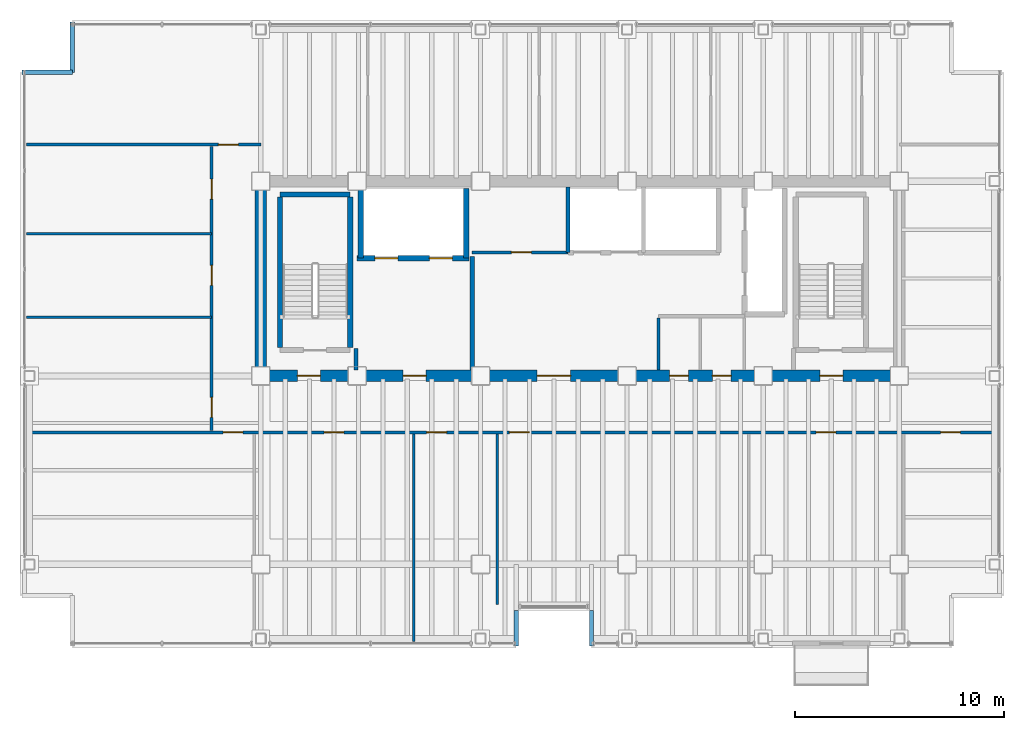
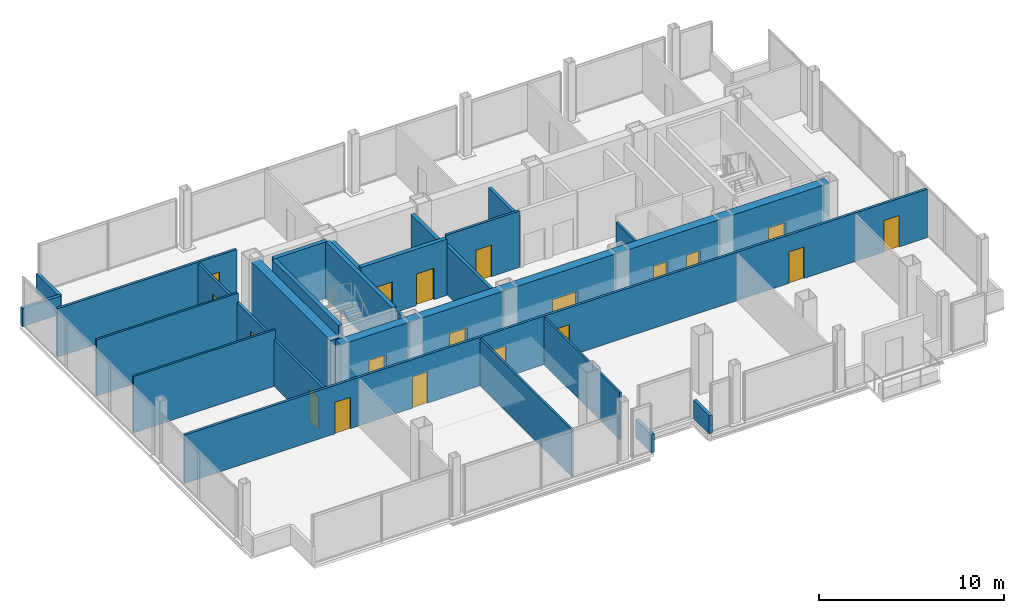
# One storey, part 16 of 19: 24 walls, 19 doors, 19 openings.
"""IFC4 building model written with IfcOpenShell, lengths in metres."""

from ifc_helpers import new_model, si_unit, direction, frame, frame_2d, origin, place, context, subcontext, project, spatial, rectangle, extrude, material, layer, layer_set, type_object, element, fill, save


model = new_model("IFC4")

# Units and contexts
model_context = context("Model", 3, precision=1e-05, world=origin(), true_north=direction((0.0, 1.0)))
body_context = subcontext(model_context, "Body", "Model", "MODEL_VIEW")
ifc_project = project(units=[si_unit("LENGTHUNIT", "METRE"), si_unit("AREAUNIT", "SQUARE_METRE"), si_unit("VOLUMEUNIT", "CUBIC_METRE"), si_unit("PLANEANGLEUNIT", "RADIAN"), si_unit("MASSUNIT", "GRAM", prefix="KILO")], contexts=[model_context])

# Site, building, storey
site_placement = place(None, origin())
site = spatial("IfcSite", under=ifc_project, at=site_placement, CompositionType="ELEMENT")
building_placement = place(site_placement, origin())
building = spatial("IfcBuilding", under=site, at=building_placement, Name="Noeulbin Bourse Tower", CompositionType="ELEMENT")
storey_placement = place(building_placement, frame((0.0, 0.0, 146.10009765625)))
storey = spatial("IfcBuildingStorey", under=building, at=storey_placement, Name="L36", CompositionType="ELEMENT", Elevation=146.10009765625)

# Wall, openings, doors
ifc_material_1 = material(Name="Concrete C60/75", Category="concrete")
ifc_layer_1 = layer(ifc_material_1, 0.550048828125)
ifc_layer_set_1 = layer_set([ifc_layer_1], Name="Concrete C60/75")
wall_type_1 = type_object("IfcWallType", Name="WAL-CORE-550", PredefinedType="SHEAR", material=ifc_layer_set_1)
wall_1_placement = place(storey_placement, frame((13.5, 29.0, 0.0), z_axis=(0.0, 0.0, 1.0), x_axis=(1.0, 0.0, 0.0)))
wall_1 = element("IfcWall", 1, at=wall_1_placement, inside=storey, type_object=wall_type_1, Name="Rear Core South Shear Wall L36", PredefinedType="SHEAR", context=body_context, shape_type="SweptSolid", body=[
    extrude(rectangle(XDim=30.5, YDim=0.550048828125, at=frame_2d((15.25, 0.0))), origin(), (0.0, 0.0, 1.0), 3.719970703125),
])
opening_1_placement = place(wall_1_placement, frame((1.75, 0.0, 0.0)))
opening_1 = element("IfcOpeningElement", 2, at=opening_1_placement, cuts=wall_1, Name="Opening FD-11", PredefinedType="OPENING", context=body_context, shape_type="SweptSolid", body=[
    extrude(rectangle(XDim=1.10009765625, YDim=2.080078125, at=frame_2d((0.550048828125, 1.0400390625))), frame((0.0, 0.284912109375, 0.0), z_axis=(0.0, -1.0, 0.0), x_axis=(1.0, 0.0, 0.0)), (0.0, 0.0, 1.0), 0.570068359375),
])
opening_2_placement = place(wall_1_placement, frame((26.699951171875, 0.0, 0.0)))
opening_2 = element("IfcOpeningElement", 3, at=opening_2_placement, cuts=wall_1, Name="Opening FD-11", PredefinedType="OPENING", context=body_context, shape_type="SweptSolid", body=[
    extrude(rectangle(XDim=1.10009765625, YDim=2.080078125, at=frame_2d((0.550048828125, 1.0400390625))), frame((0.0, 0.284912109375, 0.0), z_axis=(0.0, -1.0, 0.0), x_axis=(1.0, 0.0, 0.0)), (0.0, 0.0, 1.0), 0.570068359375),
])
opening_3_placement = place(wall_1_placement, frame((6.800048828125, 0.0, 0.0)))
opening_3 = element("IfcOpeningElement", 4, at=opening_3_placement, cuts=wall_1, Name="Opening FD-11", PredefinedType="OPENING", context=body_context, shape_type="SweptSolid", body=[
    extrude(rectangle(XDim=1.10009765625, YDim=2.080078125, at=frame_2d((0.550048828125, 1.0400390625))), frame((0.0, 0.284912109375, 0.0), z_axis=(0.0, -1.0, 0.0), x_axis=(1.0, 0.0, 0.0)), (0.0, 0.0, 1.0), 0.570068359375),
])
opening_4_placement = place(wall_1_placement, frame((13.199951171875, 0.0, 0.0)))
opening_4 = element("IfcOpeningElement", 5, at=opening_4_placement, cuts=wall_1, Name="Opening ID-16", PredefinedType="OPENING", context=body_context, shape_type="SweptSolid", body=[
    extrude(rectangle(XDim=1.60009765625, YDim=2.080078125, at=frame_2d((0.800048828125, 1.0400390625))), frame((0.0, 0.284912109375, 0.0), z_axis=(0.0, -1.0, 0.0), x_axis=(1.0, 0.0, 0.0)), (0.0, 0.0, 1.0), 0.570068359375),
])
opening_5_placement = place(wall_1_placement, frame((19.530029296875, 0.0, 0.0)))
opening_5 = element("IfcOpeningElement", 6, at=opening_5_placement, cuts=wall_1, Name="Opening FD-09", PredefinedType="OPENING", context=body_context, shape_type="SweptSolid", body=[
    extrude(rectangle(XDim=0.89990234375, YDim=2.080078125, at=frame_2d((0.449951171875, 1.0400390625))), frame((0.0, 0.284912109375, 0.0), z_axis=(0.0, -1.0, 0.0), x_axis=(1.0, 0.0, 0.0)), (0.0, 0.0, 1.0), 0.570068359375),
])
opening_6_placement = place(wall_1_placement, frame((21.570068359375, 0.0, 0.0)))
opening_6 = element("IfcOpeningElement", 7, at=opening_6_placement, cuts=wall_1, Name="Opening FD-09", PredefinedType="OPENING", context=body_context, shape_type="SweptSolid", body=[
    extrude(rectangle(XDim=0.89990234375, YDim=2.080078125, at=frame_2d((0.449951171875, 1.0400390625))), frame((0.0, 0.284912109375, 0.0), z_axis=(0.0, -1.0, 0.0), x_axis=(1.0, 0.0, 0.0)), (0.0, 0.0, 1.0), 0.570068359375),
])
ifc_material_2 = material(Name="Acoustic Glazed Aluminium", Category="aluminium")
door_type_1 = type_object("IfcDoorType", Name="DR-DBL-1600", OperationType="DOUBLE_DOOR_SINGLE_SWING", PredefinedType="DOOR", material=ifc_material_2)
door_1_placement = place(opening_4_placement, origin())
door_1 = element("IfcDoor", 8, at=door_1_placement, inside=storey, type_object=door_type_1, Name="Passenger Lift Lobby Portal L36", OperationType="DOUBLE_DOOR_SINGLE_SWING", OverallHeight=2.080078125, OverallWidth=1.60009765625, PredefinedType="DOOR", context=body_context, shape_type="SweptSolid", body=[
    extrude(rectangle(XDim=1.60009765625, YDim=2.080078125, at=frame_2d((0.800048828125, 1.0400390625))), frame((0.0, 0.02490234375, 0.0), z_axis=(0.0, -1.0, 0.0), x_axis=(1.0, 0.0, 0.0)), (0.0, 0.0, 1.0), 0.050048828125),
])
fill(opening_4, door_1)
ifc_material_3 = material(Name="Fire-Rated Timber Core", Category="wood")
door_type_2 = type_object("IfcDoorType", Name="DR-FD30-900", OperationType="SINGLE_SWING_RIGHT", PredefinedType="DOOR", material=ifc_material_3)
door_2_placement = place(opening_5_placement, origin())
door_2 = element("IfcDoor", 9, at=door_2_placement, inside=storey, type_object=door_type_2, Name="Interior Door L36-06", OperationType="SINGLE_SWING_RIGHT", OverallHeight=2.080078125, OverallWidth=0.89990234375, PredefinedType="DOOR", context=body_context, shape_type="SweptSolid", body=[
    extrude(rectangle(XDim=0.89990234375, YDim=2.080078125, at=frame_2d((0.449951171875, 1.0400390625))), frame((0.0, 0.02490234375, 0.0), z_axis=(0.0, -1.0, 0.0), x_axis=(1.0, 0.0, 0.0)), (0.0, 0.0, 1.0), 0.050048828125),
])
fill(opening_5, door_2)
door_3_placement = place(opening_6_placement, origin())
door_3 = element("IfcDoor", 10, at=door_3_placement, inside=storey, type_object=door_type_2, Name="Interior Door L36-07", OperationType="SINGLE_SWING_LEFT", OverallHeight=2.080078125, OverallWidth=0.89990234375, PredefinedType="DOOR", context=body_context, shape_type="SweptSolid", body=[
    extrude(rectangle(XDim=0.89990234375, YDim=2.080078125, at=frame_2d((0.449951171875, 1.0400390625))), frame((0.0, 0.02490234375, 0.0), z_axis=(0.0, -1.0, 0.0), x_axis=(1.0, 0.0, 0.0)), (0.0, 0.0, 1.0), 0.050048828125),
])
fill(opening_6, door_3)
ifc_material_4 = material(Name="Fire-Rated Insulated Steel", Category="steel")
door_type_3 = type_object("IfcDoorType", Name="DR-FD60-1100", OperationType="SINGLE_SWING_LEFT", PredefinedType="DOOR", material=ifc_material_4)
door_4_placement = place(opening_1_placement, origin())
door_4 = element("IfcDoor", 11, at=door_4_placement, inside=storey, type_object=door_type_3, Name="West Stair Lobby Door L36", OperationType="SINGLE_SWING_LEFT", OverallHeight=2.080078125, OverallWidth=1.10009765625, PredefinedType="DOOR", context=body_context, shape_type="SweptSolid", body=[
    extrude(rectangle(XDim=1.10009765625, YDim=2.080078125, at=frame_2d((0.550048828125, 1.0400390625))), frame((0.0, 0.02490234375, 0.0), z_axis=(0.0, -1.0, 0.0), x_axis=(1.0, 0.0, 0.0)), (0.0, 0.0, 1.0), 0.050048828125),
])
fill(opening_1, door_4)
door_5_placement = place(opening_2_placement, origin())
door_5 = element("IfcDoor", 12, at=door_5_placement, inside=storey, type_object=door_type_3, Name="East Stair Lobby Door L36", OperationType="SINGLE_SWING_RIGHT", OverallHeight=2.080078125, OverallWidth=1.10009765625, PredefinedType="DOOR", context=body_context, shape_type="SweptSolid", body=[
    extrude(rectangle(XDim=1.10009765625, YDim=2.080078125, at=frame_2d((0.550048828125, 1.0400390625))), frame((0.0, 0.02490234375, 0.0), z_axis=(0.0, -1.0, 0.0), x_axis=(1.0, 0.0, 0.0)), (0.0, 0.0, 1.0), 0.050048828125),
])
fill(opening_2, door_5)
door_6_placement = place(opening_3_placement, origin())
door_6 = element("IfcDoor", 13, at=door_6_placement, inside=storey, type_object=door_type_3, Name="Firefighting Lobby Door L36", OperationType="SINGLE_SWING_LEFT", OverallHeight=2.080078125, OverallWidth=1.10009765625, PredefinedType="DOOR", context=body_context, shape_type="SweptSolid", body=[
    extrude(rectangle(XDim=1.10009765625, YDim=2.080078125, at=frame_2d((0.550048828125, 1.0400390625))), frame((0.0, 0.02490234375, 0.0), z_axis=(0.0, -1.0, 0.0), x_axis=(1.0, 0.0, 0.0)), (0.0, 0.0, 1.0), 0.050048828125),
])
fill(opening_3, door_6)

# Walls
wall_2_placement = place(storey_placement, frame((13.5, 29.35009765625, 0.0), z_axis=(0.0, 0.0, 1.0), x_axis=(0.0, 1.0, 0.0)))
element("IfcWall", 14, at=wall_2_placement, inside=storey, type_object=wall_type_1, Name="Rear Core West Shear Wall L36", PredefinedType="SHEAR", context=body_context, shape_type="SweptSolid", body=[
    extrude(rectangle(XDim=8.599853515625, YDim=0.550048828125, at=frame_2d((4.2998046875, 0.0))), origin(), (0.0, 0.0, 1.0), 3.719970703125),
])
ifc_material_5 = material(Name="Concrete C40/50", Category="concrete")
ifc_layer_2 = layer(ifc_material_5, 0.199951171875)
ifc_layer_set_2 = layer_set([ifc_layer_2], Name="Concrete C40/50")
wall_type_2 = type_object("IfcWallType", Name="WAL-FIRE-200", PredefinedType="STANDARD", material=ifc_layer_set_2)
wall_3_placement = place(storey_placement, frame((18.050048828125, 29.284912109375, 0.0), z_axis=(0.0, 0.0, 1.0), x_axis=(0.0, 1.0, 0.0)))
element("IfcWall", 15, at=wall_3_placement, inside=storey, type_object=wall_type_2, Name="Interior Partition Wall L36-09", PredefinedType="STANDARD", context=body_context, shape_type="SweptSolid", body=[
    extrude(rectangle(XDim=1.01513671875, YDim=0.199951171875, at=frame_2d((0.507568359375, 0.0))), origin(), (0.0, 0.0, 1.0), 3.349853515625),
])
wall_4_placement = place(storey_placement, frame((23.60009765625, 29.284912109375, 0.0), z_axis=(0.0, 0.0, 1.0), x_axis=(0.0, 1.0, 0.0)))
element("IfcWall", 16, at=wall_4_placement, inside=storey, type_object=wall_type_2, Name="Interior Partition Wall L36-11", PredefinedType="STANDARD", context=body_context, shape_type="SweptSolid", body=[
    extrude(rectangle(XDim=5.4150390625, YDim=0.199951171875, at=frame_2d((2.70751953125, 0.0))), origin(), (0.0, 0.0, 1.0), 3.199951171875),
])
ifc_layer_3 = layer(ifc_material_5, 0.199951171875)
ifc_layer_set_3 = layer_set([ifc_layer_3], Name="Concrete C40/50")
wall_type_3 = type_object("IfcWallType", Name="WAL-PAR-200", PredefinedType="PARAPET", material=ifc_layer_set_3)
for number, where, z_axis, x_axis, name in (
    (17, (2.10009765625, 43.5, 0.0), (0.0, 0.0, 1.0), (1.0, 0.0, 0.0), "Corner Notch Parapet L36-NW1"),
    (18, (4.5, 43.5, 0.0), (0.0, 0.0, 1.0), (0.0, 1.0, 0.0), "Corner Notch Parapet L36-NW2"),
):
    element("IfcWall", number, at=place(storey_placement, frame(where, z_axis=z_axis, x_axis=x_axis)), inside=storey, type_object=wall_type_3, Name=name, PredefinedType="PARAPET", context=body_context, shape_type="SweptSolid", body=[
        extrude(rectangle(XDim=2.39990234375, YDim=0.199951171875, at=frame_2d((1.199951171875, 0.0))), origin(), (0.0, 0.0, 1.0), 1.199951171875),
    ])
for number, where, z_axis, x_axis, name in (
    (19, (25.699951171875, 16.10009765625, 0.0), (0.0, 0.0, 1.0), (0.0, 1.0, 0.0), "Sky-Garden Recess Parapet L36-W"),
    (20, (29.300048828125, 17.800048828125, 0.0), (0.0, 0.0, 1.0), (0.0, -1.0, 0.0), "Sky-Garden Recess Parapet L36-E"),
):
    element("IfcWall", number, at=place(storey_placement, frame(where, z_axis=z_axis, x_axis=x_axis)), inside=storey, type_object=wall_type_3, Name=name, PredefinedType="PARAPET", context=body_context, shape_type="SweptSolid", body=[
        extrude(rectangle(XDim=1.699951171875, YDim=0.199951171875, at=frame_2d((0.85009765625, 0.0))), origin(), (0.0, 0.0, 1.0), 1.199951171875),
    ])
ifc_material_6 = material(Name="Steel Stud Gypsum Partition", Category="steel")
ifc_layer_4 = layer(ifc_material_6, 0.1201171875)
ifc_layer_set_4 = layer_set([ifc_layer_4], Name="Steel Stud Gypsum Partition")
wall_type_4 = type_object("IfcWallType", Name="WAL-PRT-120", PredefinedType="PARTITIONING", material=ifc_layer_set_4)
for number, where, z_axis, x_axis, name in (
    (21, (2.31005859375, 31.800048828125, 0.0), (0.0, 0.0, 1.0), (1.0, 0.0, 0.0), "Interior Partition Wall L36-05"),
    (22, (2.31005859375, 35.800048828125, 0.0), (0.0, 0.0, 1.0), (1.0, 0.0, 0.0), "Interior Partition Wall L36-06"),
):
    element("IfcWall", number, at=place(storey_placement, frame(where, z_axis=z_axis, x_axis=x_axis)), inside=storey, type_object=wall_type_4, Name=name, PredefinedType="PARTITIONING", context=body_context, shape_type="SweptSolid", body=[
        extrude(rectangle(XDim=8.83984375, YDim=0.1201171875, at=frame_2d((4.419921875, 0.0))), origin(), (0.0, 0.0, 1.0), 3.719970703125),
    ])
wall_5_placement = place(storey_placement, frame((20.800048828125, 16.31005859375, 0.0), z_axis=(0.0, 0.0, 1.0), x_axis=(0.0, 1.0, 0.0)))
element("IfcWall", 23, at=wall_5_placement, inside=storey, type_object=wall_type_4, Name="Interior Partition Wall L36-17", PredefinedType="PARTITIONING", context=body_context, shape_type="SweptSolid", body=[
    extrude(rectangle(XDim=9.905029296875, YDim=0.1201171875, at=frame_2d((4.95263671875, 0.0))), origin(), (0.0, 0.0, 1.0), 3.099853515625),
])
wall_6_placement = place(storey_placement, frame((24.800048828125, 18.070068359375, 0.0), z_axis=(0.0, 0.0, 1.0), x_axis=(0.0, 1.0, 0.0)))
element("IfcWall", 24, at=wall_6_placement, inside=storey, type_object=wall_type_4, Name="Interior Partition Wall L36-18", PredefinedType="PARTITIONING", context=body_context, shape_type="SweptSolid", body=[
    extrude(rectangle(XDim=8.14501953125, YDim=0.1201171875, at=frame_2d((4.072509765625, 0.0))), origin(), (0.0, 0.0, 1.0), 3.099853515625),
])

# Wall, opening, door
ifc_material_7 = material(Name="Steel Stud Acoustic Gypsum Board", Category="steel")
ifc_layer_5 = layer(ifc_material_7, 0.14990234375)
ifc_layer_set_5 = layer_set([ifc_layer_5], Name="Steel Stud Acoustic Gypsum Board")
wall_type_5 = type_object("IfcWallType", Name="WAL-PRT-150", PredefinedType="PARTITIONING", material=ifc_layer_set_5)
wall_7_placement = place(storey_placement, frame((23.60009765625, 34.89990234375, 0.0), z_axis=(0.0, 0.0, 1.0), x_axis=(1.0, 0.0, 0.0)))
wall_7 = element("IfcWall", 25, at=wall_7_placement, inside=storey, type_object=wall_type_5, Name="Interior Partition Wall L36-02", PredefinedType="PARTITIONING", context=body_context, shape_type="SweptSolid", body=[
    extrude(rectangle(XDim=4.579833984375, YDim=0.14990234375, at=frame_2d((2.2900390625, 0.0))), origin(), (0.0, 0.0, 1.0), 3.719970703125),
])
opening_7_placement = place(wall_7_placement, frame((1.875, 0.0, 0.0)))
opening_7 = element("IfcOpeningElement", 26, at=opening_7_placement, cuts=wall_7, Name="Opening ID-09", PredefinedType="OPENING", context=body_context, shape_type="SweptSolid", body=[
    extrude(rectangle(XDim=0.949951171875, YDim=2.080078125, at=frame_2d((0.47509765625, 1.0400390625))), frame((0.0, 0.0849609375, 0.0), z_axis=(0.0, -1.0, 0.0), x_axis=(1.0, 0.0, 0.0)), (0.0, 0.0, 1.0), 0.169921875),
])
ifc_material_8 = material(Name="Acoustic Solid-Core Timber", Category="wood")
door_type_4 = type_object("IfcDoorType", Name="DR-SINGLE-950", OperationType="SINGLE_SWING_LEFT", PredefinedType="DOOR", material=ifc_material_8)
door_7_placement = place(opening_7_placement, origin())
door_7 = element("IfcDoor", 27, at=door_7_placement, inside=storey, type_object=door_type_4, Name="Archive Room Door L36", OperationType="SINGLE_SWING_LEFT", OverallHeight=2.080078125, OverallWidth=0.949951171875, PredefinedType="DOOR", context=body_context, shape_type="SweptSolid", body=[
    extrude(rectangle(XDim=0.949951171875, YDim=2.080078125, at=frame_2d((0.47509765625, 1.0400390625))), frame((0.0, 0.02490234375, 0.0), z_axis=(0.0, -1.0, 0.0), x_axis=(1.0, 0.0, 0.0)), (0.0, 0.0, 1.0), 0.050048828125),
])
fill(opening_7, door_7)

# Wall, openings, doors
wall_8_placement = place(storey_placement, frame((2.31005859375, 26.300048828125, 0.0), z_axis=(0.0, 0.0, 1.0), x_axis=(1.0, 0.0, 0.0)))
wall_8 = element("IfcWall", 28, at=wall_8_placement, inside=storey, type_object=wall_type_5, Name="Interior Partition Wall L36-04", PredefinedType="PARTITIONING", context=body_context, shape_type="SweptSolid", body=[
    extrude(rectangle(XDim=46.3798828125, YDim=0.14990234375, at=frame_2d((23.18994140625, 0.0))), origin(), (0.0, 0.0, 1.0), 3.199951171875),
])
opening_8_placement = place(wall_8_placement, frame((9.389892578125, 0.0, 0.0)))
opening_8 = element("IfcOpeningElement", 29, at=opening_8_placement, cuts=wall_8, Name="Opening ID-09", PredefinedType="OPENING", context=body_context, shape_type="SweptSolid", body=[
    extrude(rectangle(XDim=0.949951171875, YDim=2.080078125, at=frame_2d((0.47509765625, 1.0400390625))), frame((0.0, 0.0849609375, 0.0), z_axis=(0.0, -1.0, 0.0), x_axis=(1.0, 0.0, 0.0)), (0.0, 0.0, 1.0), 0.169921875),
])
opening_9_placement = place(wall_8_placement, frame((14.215087890625, 0.0, 0.0)))
opening_9 = element("IfcOpeningElement", 30, at=opening_9_placement, cuts=wall_8, Name="Opening ID-09", PredefinedType="OPENING", context=body_context, shape_type="SweptSolid", body=[
    extrude(rectangle(XDim=0.949951171875, YDim=2.080078125, at=frame_2d((0.47509765625, 1.0400390625))), frame((0.0, 0.0849609375, 0.0), z_axis=(0.0, -1.0, 0.0), x_axis=(1.0, 0.0, 0.0)), (0.0, 0.0, 1.0), 0.169921875),
])
opening_10_placement = place(wall_8_placement, frame((19.114990234375, 0.0, 0.0)))
opening_10 = element("IfcOpeningElement", 31, at=opening_10_placement, cuts=wall_8, Name="Opening ID-09", PredefinedType="OPENING", context=body_context, shape_type="SweptSolid", body=[
    extrude(rectangle(XDim=0.949951171875, YDim=2.080078125, at=frame_2d((0.47509765625, 1.0400390625))), frame((0.0, 0.0849609375, 0.0), z_axis=(0.0, -1.0, 0.0), x_axis=(1.0, 0.0, 0.0)), (0.0, 0.0, 1.0), 0.169921875),
])
opening_11_placement = place(wall_8_placement, frame((23.06494140625, 0.0, 0.0)))
opening_11 = element("IfcOpeningElement", 32, at=opening_11_placement, cuts=wall_8, Name="Opening ID-09", PredefinedType="OPENING", context=body_context, shape_type="SweptSolid", body=[
    extrude(rectangle(XDim=0.949951171875, YDim=2.080078125, at=frame_2d((0.47509765625, 1.0400390625))), frame((0.0, 0.0849609375, 0.0), z_axis=(0.0, -1.0, 0.0), x_axis=(1.0, 0.0, 0.0)), (0.0, 0.0, 1.0), 0.169921875),
])
opening_12_placement = place(wall_8_placement, frame((37.715087890625, 0.0, 0.0)))
opening_12 = element("IfcOpeningElement", 33, at=opening_12_placement, cuts=wall_8, Name="Opening ID-09", PredefinedType="OPENING", context=body_context, shape_type="SweptSolid", body=[
    extrude(rectangle(XDim=0.949951171875, YDim=2.080078125, at=frame_2d((0.47509765625, 1.0400390625))), frame((0.0, 0.0849609375, 0.0), z_axis=(0.0, -1.0, 0.0), x_axis=(1.0, 0.0, 0.0)), (0.0, 0.0, 1.0), 0.169921875),
])
opening_13_placement = place(wall_8_placement, frame((43.659912109375, 0.0, 0.0)))
opening_13 = element("IfcOpeningElement", 34, at=opening_13_placement, cuts=wall_8, Name="Opening ID-09", PredefinedType="OPENING", context=body_context, shape_type="SweptSolid", body=[
    extrude(rectangle(XDim=0.949951171875, YDim=2.080078125, at=frame_2d((0.47509765625, 1.0400390625))), frame((0.0, 0.0849609375, 0.0), z_axis=(0.0, -1.0, 0.0), x_axis=(1.0, 0.0, 0.0)), (0.0, 0.0, 1.0), 0.169921875),
])
door_8_placement = place(opening_8_placement, origin())
door_8 = element("IfcDoor", 35, at=door_8_placement, inside=storey, type_object=door_type_4, Name="Interior Door L36-08", OperationType="SINGLE_SWING_RIGHT", OverallHeight=2.080078125, OverallWidth=0.949951171875, PredefinedType="DOOR", context=body_context, shape_type="SweptSolid", body=[
    extrude(rectangle(XDim=0.949951171875, YDim=2.080078125, at=frame_2d((0.47509765625, 1.0400390625))), frame((0.0, 0.02490234375, 0.0), z_axis=(0.0, -1.0, 0.0), x_axis=(1.0, 0.0, 0.0)), (0.0, 0.0, 1.0), 0.050048828125),
])
fill(opening_8, door_8)
door_9_placement = place(opening_9_placement, origin())
door_9 = element("IfcDoor", 36, at=door_9_placement, inside=storey, type_object=door_type_4, Name="Interior Door L36-09", OperationType="SINGLE_SWING_LEFT", OverallHeight=2.080078125, OverallWidth=0.949951171875, PredefinedType="DOOR", context=body_context, shape_type="SweptSolid", body=[
    extrude(rectangle(XDim=0.949951171875, YDim=2.080078125, at=frame_2d((0.47509765625, 1.0400390625))), frame((0.0, 0.02490234375, 0.0), z_axis=(0.0, -1.0, 0.0), x_axis=(1.0, 0.0, 0.0)), (0.0, 0.0, 1.0), 0.050048828125),
])
fill(opening_9, door_9)
door_10_placement = place(opening_10_placement, origin())
door_10 = element("IfcDoor", 37, at=door_10_placement, inside=storey, type_object=door_type_4, Name="Interior Door L36-10", OperationType="SINGLE_SWING_RIGHT", OverallHeight=2.080078125, OverallWidth=0.949951171875, PredefinedType="DOOR", context=body_context, shape_type="SweptSolid", body=[
    extrude(rectangle(XDim=0.949951171875, YDim=2.080078125, at=frame_2d((0.47509765625, 1.0400390625))), frame((0.0, 0.02490234375, 0.0), z_axis=(0.0, -1.0, 0.0), x_axis=(1.0, 0.0, 0.0)), (0.0, 0.0, 1.0), 0.050048828125),
])
fill(opening_10, door_10)
door_11_placement = place(opening_11_placement, origin())
door_11 = element("IfcDoor", 38, at=door_11_placement, inside=storey, type_object=door_type_4, Name="Interior Door L36-11", OperationType="SINGLE_SWING_LEFT", OverallHeight=2.080078125, OverallWidth=0.949951171875, PredefinedType="DOOR", context=body_context, shape_type="SweptSolid", body=[
    extrude(rectangle(XDim=0.949951171875, YDim=2.080078125, at=frame_2d((0.47509765625, 1.0400390625))), frame((0.0, 0.02490234375, 0.0), z_axis=(0.0, -1.0, 0.0), x_axis=(1.0, 0.0, 0.0)), (0.0, 0.0, 1.0), 0.050048828125),
])
fill(opening_11, door_11)
door_12_placement = place(opening_12_placement, origin())
door_12 = element("IfcDoor", 39, at=door_12_placement, inside=storey, type_object=door_type_4, Name="Interior Door L36-12", OperationType="SINGLE_SWING_RIGHT", OverallHeight=2.080078125, OverallWidth=0.949951171875, PredefinedType="DOOR", context=body_context, shape_type="SweptSolid", body=[
    extrude(rectangle(XDim=0.949951171875, YDim=2.080078125, at=frame_2d((0.47509765625, 1.0400390625))), frame((0.0, 0.02490234375, 0.0), z_axis=(0.0, -1.0, 0.0), x_axis=(1.0, 0.0, 0.0)), (0.0, 0.0, 1.0), 0.050048828125),
])
fill(opening_12, door_12)
door_13_placement = place(opening_13_placement, origin())
door_13 = element("IfcDoor", 40, at=door_13_placement, inside=storey, type_object=door_type_4, Name="Interior Door L36-13", OperationType="SINGLE_SWING_LEFT", OverallHeight=2.080078125, OverallWidth=0.949951171875, PredefinedType="DOOR", context=body_context, shape_type="SweptSolid", body=[
    extrude(rectangle(XDim=0.949951171875, YDim=2.080078125, at=frame_2d((0.47509765625, 1.0400390625))), frame((0.0, 0.02490234375, 0.0), z_axis=(0.0, -1.0, 0.0), x_axis=(1.0, 0.0, 0.0)), (0.0, 0.0, 1.0), 0.050048828125),
])
fill(opening_13, door_13)

# Wall, opening, door
wall_9_placement = place(storey_placement, frame((2.31005859375, 40.050048828125, 0.0), z_axis=(0.0, 0.0, 1.0), x_axis=(1.0, 0.0, 0.0)))
wall_9 = element("IfcWall", 41, at=wall_9_placement, inside=storey, type_object=wall_type_5, Name="Interior Partition Wall L36-07", PredefinedType="PARTITIONING", context=body_context, shape_type="SweptSolid", body=[
    extrude(rectangle(XDim=11.18994140625, YDim=0.14990234375, at=frame_2d((5.594970703125, 0.0))), origin(), (0.0, 0.0, 1.0), 3.199951171875),
])
opening_14_placement = place(wall_9_placement, frame((9.1650390625, 0.0, 0.0)))
opening_14 = element("IfcOpeningElement", 42, at=opening_14_placement, cuts=wall_9, Name="Opening ID-09", PredefinedType="OPENING", context=body_context, shape_type="SweptSolid", body=[
    extrude(rectangle(XDim=0.949951171875, YDim=2.080078125, at=frame_2d((0.47509765625, 1.0400390625))), frame((0.0, 0.0849609375, 0.0), z_axis=(0.0, -1.0, 0.0), x_axis=(1.0, 0.0, 0.0)), (0.0, 0.0, 1.0), 0.169921875),
])
door_14_placement = place(opening_14_placement, origin())
door_14 = element("IfcDoor", 43, at=door_14_placement, inside=storey, type_object=door_type_4, Name="Interior Door L36-17", OperationType="SINGLE_SWING_LEFT", OverallHeight=2.080078125, OverallWidth=0.949951171875, PredefinedType="DOOR", context=body_context, shape_type="SweptSolid", body=[
    extrude(rectangle(XDim=0.949951171875, YDim=2.080078125, at=frame_2d((0.47509765625, 1.0400390625))), frame((0.0, 0.02490234375, 0.0), z_axis=(0.0, -1.0, 0.0), x_axis=(1.0, 0.0, 0.0)), (0.0, 0.0, 1.0), 0.050048828125),
])
fill(opening_14, door_14)

# Wall
wall_10_placement = place(storey_placement, frame((32.5, 29.284912109375, 0.0), z_axis=(0.0, 0.0, 1.0), x_axis=(0.0, 1.0, 0.0)))
element("IfcWall", 44, at=wall_10_placement, inside=storey, type_object=wall_type_5, Name="Interior Partition Wall L36-12", PredefinedType="PARTITIONING", context=body_context, shape_type="SweptSolid", body=[
    extrude(rectangle(XDim=2.47998046875, YDim=0.14990234375, at=frame_2d((1.239990234375, 0.0))), origin(), (0.0, 0.0, 1.0), 3.349853515625),
])

# Wall, openings, doors
wall_11_placement = place(storey_placement, frame((11.14990234375, 26.385009765625, 0.0), z_axis=(0.0, 0.0, 1.0), x_axis=(0.0, 1.0, 0.0)))
wall_11 = element("IfcWall", 45, at=wall_11_placement, inside=storey, type_object=wall_type_5, Name="Interior Partition Wall L36-15", PredefinedType="PARTITIONING", context=body_context, shape_type="SweptSolid", body=[
    extrude(rectangle(XDim=13.580078125, YDim=0.14990234375, at=frame_2d((6.7900390625, 0.0))), origin(), (0.0, 0.0, 1.0), 3.099853515625),
])
opening_15_placement = place(wall_11_placement, frame((0.639892578125, 0.0, 0.0)))
opening_15 = element("IfcOpeningElement", 46, at=opening_15_placement, cuts=wall_11, Name="Opening ID-09", PredefinedType="OPENING", context=body_context, shape_type="SweptSolid", body=[
    extrude(rectangle(XDim=0.949951171875, YDim=2.080078125, at=frame_2d((0.47509765625, 1.0400390625))), frame((0.0, 0.0849609375, 0.0), z_axis=(0.0, -1.0, 0.0), x_axis=(1.0, 0.0, 0.0)), (0.0, 0.0, 1.0), 0.169921875),
])
opening_16_placement = place(wall_11_placement, frame((6.93994140625, 0.0, 0.0)))
opening_16 = element("IfcOpeningElement", 47, at=opening_16_placement, cuts=wall_11, Name="Opening ID-09", PredefinedType="OPENING", context=body_context, shape_type="SweptSolid", body=[
    extrude(rectangle(XDim=0.949951171875, YDim=2.080078125, at=frame_2d((0.47509765625, 1.0400390625))), frame((0.0, 0.0849609375, 0.0), z_axis=(0.0, -1.0, 0.0), x_axis=(1.0, 0.0, 0.0)), (0.0, 0.0, 1.0), 0.169921875),
])
opening_17_placement = place(wall_11_placement, frame((11.06494140625, 0.0, 0.0)))
opening_17 = element("IfcOpeningElement", 48, at=opening_17_placement, cuts=wall_11, Name="Opening ID-09", PredefinedType="OPENING", context=body_context, shape_type="SweptSolid", body=[
    extrude(rectangle(XDim=0.949951171875, YDim=2.080078125, at=frame_2d((0.47509765625, 1.0400390625))), frame((0.0, 0.0849609375, 0.0), z_axis=(0.0, -1.0, 0.0), x_axis=(1.0, 0.0, 0.0)), (0.0, 0.0, 1.0), 0.169921875),
])
door_15_placement = place(opening_15_placement, origin())
door_15 = element("IfcDoor", 49, at=door_15_placement, inside=storey, type_object=door_type_4, Name="Interior Door L36-14", OperationType="SINGLE_SWING_RIGHT", OverallHeight=2.080078125, OverallWidth=0.949951171875, PredefinedType="DOOR", context=body_context, shape_type="SweptSolid", body=[
    extrude(rectangle(XDim=0.949951171875, YDim=2.080078125, at=frame_2d((0.47509765625, 1.0400390625))), frame((0.0, 0.02490234375, 0.0), z_axis=(0.0, -1.0, 0.0), x_axis=(1.0, 0.0, 0.0)), (0.0, 0.0, 1.0), 0.050048828125),
])
fill(opening_15, door_15)
door_16_placement = place(opening_16_placement, origin())
door_16 = element("IfcDoor", 50, at=door_16_placement, inside=storey, type_object=door_type_4, Name="Interior Door L36-15", OperationType="SINGLE_SWING_LEFT", OverallHeight=2.080078125, OverallWidth=0.949951171875, PredefinedType="DOOR", context=body_context, shape_type="SweptSolid", body=[
    extrude(rectangle(XDim=0.949951171875, YDim=2.080078125, at=frame_2d((0.47509765625, 1.0400390625))), frame((0.0, 0.02490234375, 0.0), z_axis=(0.0, -1.0, 0.0), x_axis=(1.0, 0.0, 0.0)), (0.0, 0.0, 1.0), 0.050048828125),
])
fill(opening_16, door_16)
door_17_placement = place(opening_17_placement, origin())
door_17 = element("IfcDoor", 51, at=door_17_placement, inside=storey, type_object=door_type_4, Name="Interior Door L36-16", OperationType="SINGLE_SWING_RIGHT", OverallHeight=2.080078125, OverallWidth=0.949951171875, PredefinedType="DOOR", context=body_context, shape_type="SweptSolid", body=[
    extrude(rectangle(XDim=0.949951171875, YDim=2.080078125, at=frame_2d((0.47509765625, 1.0400390625))), frame((0.0, 0.02490234375, 0.0), z_axis=(0.0, -1.0, 0.0), x_axis=(1.0, 0.0, 0.0)), (0.0, 0.0, 1.0), 0.050048828125),
])
fill(opening_17, door_17)

# Walls
ifc_layer_6 = layer(ifc_material_5, 0.25)
ifc_layer_set_6 = layer_set([ifc_layer_6], Name="Concrete C40/50")
wall_type_6 = type_object("IfcWallType", Name="WAL-SHFT-250", PredefinedType="STANDARD", material=ifc_layer_set_6)
wall_12_placement = place(storey_placement, frame((14.429931640625, 37.6689453125, 0.0), z_axis=(0.0, 0.0, 1.0), x_axis=(1.0, 0.0, 0.0)))
element("IfcWall", 52, at=wall_12_placement, inside=storey, type_object=wall_type_6, Name="Stair ST-1 North Shaft Wall L36", PredefinedType="STANDARD", context=body_context, shape_type="SweptSolid", body=[
    extrude(rectangle(XDim=3.340087890625, YDim=0.25, at=frame_2d((1.669921875, 0.0))), origin(), (0.0, 0.0, 1.0), 3.719970703125),
])
for number, where, z_axis, x_axis, name in (
    (53, (14.425048828125, 30.360107421875, 0.0), (0.0, 0.0, 1.0), (0.0, 1.0, 0.0), "Stair ST-1 West Shaft Wall L36"),
    (54, (17.77490234375, 30.360107421875, 0.0), (0.0, 0.0, 1.0), (0.0, 1.0, 0.0), "Stair ST-1 East Shaft Wall L36"),
):
    element("IfcWall", number, at=place(storey_placement, frame(where, z_axis=z_axis, x_axis=x_axis)), inside=storey, type_object=wall_type_6, Name=name, PredefinedType="STANDARD", context=body_context, shape_type="SweptSolid", body=[
        extrude(rectangle(XDim=7.183837890625, YDim=0.25, at=frame_2d((3.591796875, 0.0))), origin(), (0.0, 0.0, 1.0), 3.719970703125),
    ])

# Wall, openings, doors
wall_13_placement = place(storey_placement, frame((18.10009765625, 34.6201171875, 0.0), z_axis=(0.0, 0.0, 1.0), x_axis=(1.0, 0.0, 0.0)))
wall_13 = element("IfcWall", 55, at=wall_13_placement, inside=storey, type_object=wall_type_6, Name="Firefighting Lift Shaft Front L36", PredefinedType="STANDARD", context=body_context, shape_type="SweptSolid", body=[
    extrude(rectangle(XDim=5.349853515625, YDim=0.25, at=frame_2d((2.6748046875, 0.0))), origin(), (0.0, 0.0, 1.0), 3.719970703125),
])
opening_18_placement = place(wall_13_placement, frame((0.85009765625, 0.0, 0.0)))
opening_18 = element("IfcOpeningElement", 56, at=opening_18_placement, cuts=wall_13, Name="Opening LD-11", PredefinedType="OPENING", context=body_context, shape_type="SweptSolid", body=[
    extrude(rectangle(XDim=1.10009765625, YDim=2.080078125, at=frame_2d((0.550048828125, 1.0400390625))), frame((0.0, 0.135009765625, 0.0), z_axis=(0.0, -1.0, 0.0), x_axis=(1.0, 0.0, 0.0)), (0.0, 0.0, 1.0), 0.27001953125),
])
opening_19_placement = place(wall_13_placement, frame((3.449951171875, 0.0, 0.0)))
opening_19 = element("IfcOpeningElement", 57, at=opening_19_placement, cuts=wall_13, Name="Opening LD-11", PredefinedType="OPENING", context=body_context, shape_type="SweptSolid", body=[
    extrude(rectangle(XDim=1.10009765625, YDim=2.080078125, at=frame_2d((0.550048828125, 1.0400390625))), frame((0.0, 0.135009765625, 0.0), z_axis=(0.0, -1.0, 0.0), x_axis=(1.0, 0.0, 0.0)), (0.0, 0.0, 1.0), 0.27001953125),
])
ifc_material_9 = material(Name="Brushed Stainless Steel 316", Category="steel")
door_type_5 = type_object("IfcDoorType", Name="DR-LIFT-1100", OperationType="SLIDING_TO_LEFT", PredefinedType="DOOR", material=ifc_material_9)
door_18_placement = place(opening_18_placement, origin())
door_18 = element("IfcDoor", 58, at=door_18_placement, inside=storey, type_object=door_type_5, Name="Lift Landing Door LD-FL-01-L36", OperationType="SLIDING_TO_LEFT", OverallHeight=2.080078125, OverallWidth=1.10009765625, PredefinedType="DOOR", context=body_context, shape_type="SweptSolid", body=[
    extrude(rectangle(XDim=1.10009765625, YDim=2.080078125, at=frame_2d((0.550048828125, 1.0400390625))), frame((0.0, 0.02490234375, 0.0), z_axis=(0.0, -1.0, 0.0), x_axis=(1.0, 0.0, 0.0)), (0.0, 0.0, 1.0), 0.050048828125),
])
fill(opening_18, door_18)
door_19_placement = place(opening_19_placement, origin())
door_19 = element("IfcDoor", 59, at=door_19_placement, inside=storey, type_object=door_type_5, Name="Lift Landing Door LD-FL-02-L36", OperationType="SLIDING_TO_LEFT", OverallHeight=2.080078125, OverallWidth=1.10009765625, PredefinedType="DOOR", context=body_context, shape_type="SweptSolid", body=[
    extrude(rectangle(XDim=1.10009765625, YDim=2.080078125, at=frame_2d((0.550048828125, 1.0400390625))), frame((0.0, 0.02490234375, 0.0), z_axis=(0.0, -1.0, 0.0), x_axis=(1.0, 0.0, 0.0)), (0.0, 0.0, 1.0), 0.050048828125),
])
fill(opening_19, door_19)

# Walls
for number, where, z_axis, x_axis, name in (
    (60, (18.280029296875, 34.6201171875, 0.0), (0.0, 0.0, 1.0), (0.0, 1.0, 0.0), "Firefighting Lift West Shaft Wall L36"),
    (61, (23.320068359375, 34.6201171875, 0.0), (0.0, 0.0, 1.0), (0.0, 1.0, 0.0), "Firefighting Lift East Shaft Wall L36"),
):
    element("IfcWall", number, at=place(storey_placement, frame(where, z_axis=z_axis, x_axis=x_axis)), inside=storey, type_object=wall_type_6, Name=name, PredefinedType="STANDARD", context=body_context, shape_type="SweptSolid", body=[
        extrude(rectangle(XDim=3.329833984375, YDim=0.25, at=frame_2d((1.6650390625, 0.0))), origin(), (0.0, 0.0, 1.0), 3.349853515625),
    ])
wall_14_placement = place(storey_placement, frame((28.179931640625, 34.89990234375, 0.0), z_axis=(0.0, 0.0, 1.0), x_axis=(0.0, 1.0, 0.0)))
element("IfcWall", 62, at=wall_14_placement, inside=storey, type_object=wall_type_6, Name="Hoistway Side Shaft Wall L36-PLMW", PredefinedType="STANDARD", context=body_context, shape_type="SweptSolid", body=[
    extrude(rectangle(XDim=3.1201171875, YDim=0.199951171875, at=frame_2d((1.56005859375, 0.0))), origin(), (0.0, 0.0, 1.0), 3.349853515625),
])

save(model, "model.ifc")
